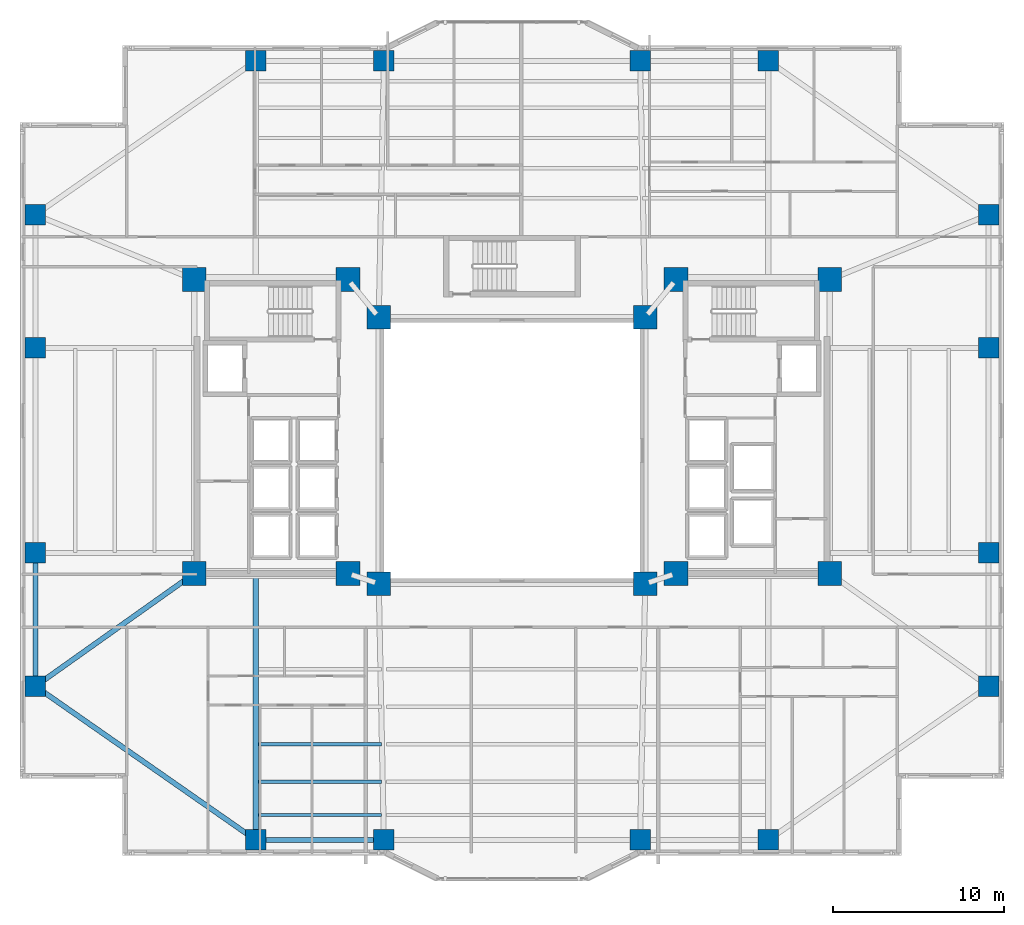
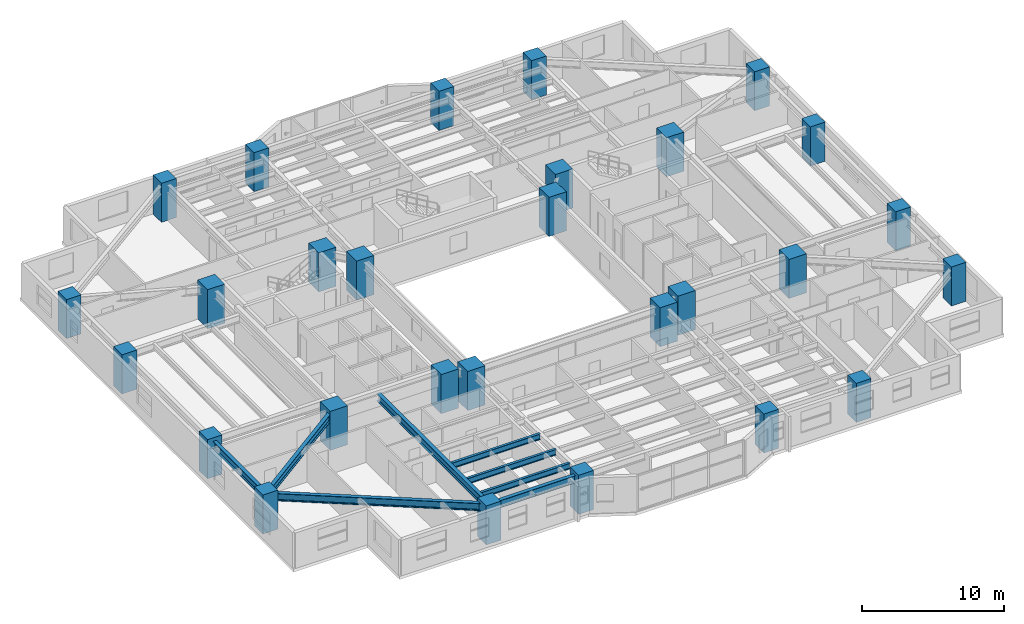
# One storey, part 1 of 20: 28 columns, 8 beams.
"""IFC4 building model written with IfcOpenShell, lengths in metres."""

import ifcopenshell
import ifcopenshell.guid

model = None  # the IFC model being written
_history = None  # IfcOwnerHistory: only IFC2X3 demands one
_inside = {}  # id of a spatial element -> (the spatial element, [elements in it])
_under = {}  # id of a project, library or spatial element -> (it, [spatial elements below it])
_declared = {}  # id of a project -> (the project, [libraries it declares])
_typed = {}  # id of a type object -> (the type object, [elements of that type])
_made_of = {}  # id of a material, layer set ... -> (it, [elements and type objects made of it])


def new_model(schema):
    """Start an empty IFC model of exactly this schema.

    Asked for "IFC4X3", IfcOpenShell would pick the latest addendum, in which some entities
    have other attributes; the version numbers below select the first issue.
    IFC2X3 requires an IfcOwnerHistory on every rooted entity: one is made here for all.
    """
    global model, _history
    if schema == "IFC4X3":
        model = ifcopenshell.file(schema_version=(4, 3, 0, 0))
    else:
        model = ifcopenshell.file(schema=schema)
    _inside.clear()
    _under.clear()
    _declared.clear()
    _typed.clear()
    _made_of.clear()
    _history = None
    if model.schema == "IFC2X3":
        org = make("IfcOrganization", Name="unknown")
        user = make(
            "IfcPersonAndOrganization",
            ThePerson=make("IfcPerson", FamilyName="unknown"),
            TheOrganization=org,
        )
        app = make(
            "IfcApplication",
            ApplicationDeveloper=org,
            Version="unknown",
            ApplicationFullName="unknown",
            ApplicationIdentifier="unknown",
        )
        _history = make(
            "IfcOwnerHistory",
            OwningUser=user,
            OwningApplication=app,
            ChangeAction="ADDED",
            CreationDate=0,
        )
    return model


def make(cls, **values):
    """One entity of the class cls with the attributes given. An attribute that is None is left unset."""
    return model.create_entity(
        cls, **{name: value for name, value in values.items() if value is not None}
    )


def rooted(cls, **values):
    """An entity with a GlobalId (a new one), such as an element, a storey or a relation."""
    return make(cls, GlobalId=ifcopenshell.guid.new(), OwnerHistory=_history, **values)


def si_unit(unit_type, name, prefix=None):
    """IfcSIUnit, for example si_unit("LENGTHUNIT", "METRE", prefix="MILLI")."""
    return make("IfcSIUnit", UnitType=unit_type, Prefix=prefix, Name=name)


def assignment(units):
    """IfcUnitAssignment: the units of a project."""
    return None if units is None else make("IfcUnitAssignment", Units=units)


def point(xyz):
    """IfcCartesianPoint."""
    return None if xyz is None else make("IfcCartesianPoint", Coordinates=xyz)


def direction(xyz):
    """IfcDirection."""
    return None if xyz is None else make("IfcDirection", DirectionRatios=xyz)


def frame(location, z_axis=None, x_axis=None):
    """IfcAxis2Placement3D, a coordinate frame: its origin and axes. An axis left out is left unset."""
    return make(
        "IfcAxis2Placement3D",
        Location=point(location),
        Axis=direction(z_axis),
        RefDirection=direction(x_axis),
    )


def frame_2d(location, x_axis=None):
    """IfcAxis2Placement2D, a coordinate frame in the plane: its origin and x axis."""
    return make(
        "IfcAxis2Placement2D", Location=point(location), RefDirection=direction(x_axis)
    )


def origin():
    """The frame at (0, 0, 0) with its axes left unset."""
    return frame((0.0, 0.0, 0.0))


def origin_2d():
    """The frame at (0, 0) in the plane with its x axis left unset."""
    return frame_2d((0.0, 0.0))


def place(relative_to, where):
    """IfcLocalPlacement: puts the frame where relative to a parent placement (None: the world)."""
    return make(
        "IfcLocalPlacement", PlacementRelTo=relative_to, RelativePlacement=where
    )


def context(
    kind, dimensions, precision=None, world=None, true_north=None, identifier=None
):
    """IfcGeometricRepresentationContext, for example the 3D "Model" context."""
    return make(
        "IfcGeometricRepresentationContext",
        ContextIdentifier=identifier,
        ContextType=kind,
        CoordinateSpaceDimension=dimensions,
        Precision=precision,
        WorldCoordinateSystem=world,
        TrueNorth=true_north,
    )


def subcontext(parent, identifier, kind, view, scale=None):
    """IfcGeometricRepresentationSubContext, for example "Body" below "Model"."""
    return make(
        "IfcGeometricRepresentationSubContext",
        ContextIdentifier=identifier,
        ContextType=kind,
        ParentContext=parent,
        TargetScale=scale,
        TargetView=view,
    )


def project(units=None, contexts=None):
    """IfcProject with its units and contexts."""
    return rooted(
        "IfcProject",
        Name="project",
        RepresentationContexts=contexts,
        UnitsInContext=assignment(units),
    )


def spatial(cls, under=None, at=None, **own):
    """A site, building, storey or space (cls), placed at a placement, below another one or the project."""
    s = rooted(cls, ObjectPlacement=at, **own)
    if under is not None:
        _under.setdefault(under.id(), (under, []))[1].append(s)
    return s


def profile(cls, at=None, kind="AREA", **sizes):
    """A parametric profile (cls). Its sizes go by their IFC names, for example OverallWidth=200.0."""
    return make(cls, ProfileType=kind, Position=at, **sizes)


def rectangle(**sizes):
    """IfcRectangleProfileDef."""
    return profile("IfcRectangleProfileDef", **sizes)


def i_section(**sizes):
    """IfcIShapeProfileDef."""
    return profile("IfcIShapeProfileDef", **sizes)


def extrude(swept, where, along, depth):
    """IfcExtrudedAreaSolid: the profile swept, set in the frame where, extruded along a direction by depth."""
    return make(
        "IfcExtrudedAreaSolid",
        SweptArea=swept,
        Position=where,
        ExtrudedDirection=direction(along),
        Depth=depth,
    )


def shape(context_of_items, identifier, shape_type, items):
    """IfcShapeRepresentation: the items that make up one representation, for example the "Body"."""
    return make(
        "IfcShapeRepresentation",
        ContextOfItems=context_of_items,
        RepresentationIdentifier=identifier,
        RepresentationType=shape_type,
        Items=items,
    )


def material(Name=None, Category=None):
    """IfcMaterial."""
    return make("IfcMaterial", Name=Name, Category=Category)


def material_profile(
    of_material, cross_section, Name=None, Category=None, Priority=None
):
    """IfcMaterialProfile: a cross section and its material."""
    return make(
        "IfcMaterialProfile",
        Name=Name,
        Material=of_material,
        Profile=cross_section,
        Priority=Priority,
        Category=Category,
    )


def profile_set(profiles, Name=None, composite=None):
    """IfcMaterialProfileSet."""
    return make(
        "IfcMaterialProfileSet",
        Name=Name,
        MaterialProfiles=profiles,
        CompositeProfile=composite,
    )


def made_of(thing, what):
    """Note that an element or type object is made of a material, layer set ...; save() writes the relation."""
    if what is not None:
        _made_of.setdefault(what.id(), (what, []))[1].append(thing)
    return thing


def type_object(cls, material=None, **own):
    """A type object (cls), such as IfcWallType, which elements share."""
    return made_of(rooted(cls, **own), material)


def element(
    cls,
    number,
    at=None,
    inside=None,
    cuts=None,
    type_object=None,
    material=None,
    context=None,
    identifier="Body",
    shape_type=None,
    held_by="IfcProductDefinitionShape",
    body=None,
    shapes=None,
    **own,
):
    """One element of the class cls, such as IfcWall. Its Tag is "e" and its number.

    at: its placement. inside: the storey or other place that contains it. cuts: it is an
    opening in that element (IfcRelVoidsElement). A single representation is given by context,
    identifier, shape_type and body (its items); several are given by shapes. held_by: the class
    of the entity that holds the representations. save() writes the other relations.
    """
    e = rooted(cls, Tag="e%d" % number, ObjectPlacement=at, **own)
    if body is not None:
        shapes = [shape(context, identifier, shape_type, body)]
    if shapes is not None:
        e.Representation = make(held_by, Representations=shapes)
    if inside is not None:
        _inside.setdefault(inside.id(), (inside, []))[1].append(e)
    if cuts is not None:
        rooted(
            "IfcRelVoidsElement", RelatingBuildingElement=cuts, RelatedOpeningElement=e
        )
    if type_object is not None:
        _typed.setdefault(type_object.id(), (type_object, []))[1].append(e)
    return made_of(e, material)


def aggregate(whole, parts):
    """IfcRelAggregates: a whole, such as a stair, and the parts it consists of."""
    return rooted("IfcRelAggregates", RelatingObject=whole, RelatedObjects=parts)


def save(model, path):
    """Write the relations noted so far, then the file.

    IfcRelAggregates (storeys below a building ...), IfcRelContainedInSpatialStructure (elements
    in a storey), IfcRelDefinesByType, IfcRelAssociatesMaterial and IfcRelDeclares: one each for
    every whole, place, type object, material and project.
    """
    for whole, parts in _under.values():
        aggregate(whole, parts)
    for where, things in _inside.values():
        rooted(
            "IfcRelContainedInSpatialStructure",
            RelatedElements=things,
            RelatingStructure=where,
        )
    for kind, things in _typed.values():
        rooted("IfcRelDefinesByType", RelatedObjects=things, RelatingType=kind)
    for what, things in _made_of.values():
        rooted("IfcRelAssociatesMaterial", RelatedObjects=things, RelatingMaterial=what)
    for by, libraries in _declared.values():
        rooted("IfcRelDeclares", RelatingContext=by, RelatedDefinitions=libraries)
    model.write(path)


model = new_model("IFC4")

# Units and contexts
model_context = context("Model", 3, precision=1e-05, world=origin(), true_north=direction((0.0, 1.0)))
body_context = subcontext(model_context, "Body", "Model", "MODEL_VIEW")
ifc_project = project(units=[si_unit("LENGTHUNIT", "METRE"), si_unit("AREAUNIT", "SQUARE_METRE"), si_unit("VOLUMEUNIT", "CUBIC_METRE"), si_unit("PLANEANGLEUNIT", "RADIAN"), si_unit("MASSUNIT", "GRAM", prefix="KILO")], contexts=[model_context])

# Site, building, storey
site_placement = place(None, origin())
site = spatial("IfcSite", under=ifc_project, at=site_placement, CompositionType="ELEMENT")
building_placement = place(site_placement, origin())
building = spatial("IfcBuilding", under=site, at=building_placement, Name="Tarnavaz Court Tower", CompositionType="ELEMENT")
storey_placement = place(building_placement, frame((0.0, 0.0, 60.85009765625)))
storey = spatial("IfcBuildingStorey", under=building, at=storey_placement, Name="L16", CompositionType="ELEMENT", Elevation=60.85009765625)

# Columns
ifc_material_1 = material(Name="Concrete C60/75", Category="concrete")
ifc_material_profile_1 = material_profile(ifc_material_1, rectangle(XDim=1.199951171875, YDim=1.199951171875, at=origin_2d()), Name="RC 1200X1200")
ifc_profile_set_1 = profile_set([ifc_material_profile_1], Name="Concrete C60/75")
column_type_1 = type_object("IfcColumnType", Name="CL-RC1200", PredefinedType="COLUMN", material=ifc_profile_set_1)
for number, where, z_axis, x_axis, name in (
    (1, (-15.0, 22.800048828125, 0.0), (0.0, 0.0, 1.0), (1.0, 0.0, 0.0), "L16 Column PN-1"),
    (2, (-7.5, 22.800048828125, 0.0), (0.0, 0.0, 1.0), (1.0, 0.0, 0.0), "L16 Column PN-2"),
    (3, (7.5, 22.800048828125, 0.0), (0.0, 0.0, 1.0), (1.0, 0.0, 0.0), "L16 Column PN-3"),
    (4, (15.0, 22.800048828125, 0.0), (0.0, 0.0, 1.0), (1.0, 0.0, 0.0), "L16 Column PN-4"),
    (5, (-15.0, -22.800048828125, 0.0), (0.0, 0.0, 1.0), (1.0, 0.0, 0.0), "L16 Column PS-1"),
    (6, (-7.5, -22.800048828125, 0.0), (0.0, 0.0, 1.0), (1.0, 0.0, 0.0), "L16 Column PS-2"),
    (7, (7.5, -22.800048828125, 0.0), (0.0, 0.0, 1.0), (1.0, 0.0, 0.0), "L16 Column PS-3"),
    (8, (15.0, -22.800048828125, 0.0), (0.0, 0.0, 1.0), (1.0, 0.0, 0.0), "L16 Column PS-4"),
    (9, (27.89990234375, -13.800048828125, 0.0), (0.0, 0.0, 1.0), (1.0, 0.0, 0.0), "L16 Column PE-1"),
    (10, (27.89990234375, -6.0, 0.0), (0.0, 0.0, 1.0), (1.0, 0.0, 0.0), "L16 Column PE-2"),
    (11, (27.89990234375, 6.0, 0.0), (0.0, 0.0, 1.0), (1.0, 0.0, 0.0), "L16 Column PE-3"),
    (12, (27.89990234375, 13.800048828125, 0.0), (0.0, 0.0, 1.0), (1.0, 0.0, 0.0), "L16 Column PE-4"),
    (13, (-27.89990234375, -13.800048828125, 0.0), (0.0, 0.0, 1.0), (1.0, 0.0, 0.0), "L16 Column PW-1"),
    (14, (-27.89990234375, -6.0, 0.0), (0.0, 0.0, 1.0), (1.0, 0.0, 0.0), "L16 Column PW-2"),
    (15, (-27.89990234375, 6.0, 0.0), (0.0, 0.0, 1.0), (1.0, 0.0, 0.0), "L16 Column PW-3"),
    (16, (-27.89990234375, 13.800048828125, 0.0), (0.0, 0.0, 1.0), (1.0, 0.0, 0.0), "L16 Column PW-4"),
):
    element("IfcColumn", number, at=place(storey_placement, frame(where, z_axis=z_axis, x_axis=x_axis)), inside=storey, type_object=column_type_1, Name=name, PredefinedType="COLUMN", context=body_context, shape_type="SweptSolid", body=[
        extrude(rectangle(XDim=1.199951171875, YDim=1.199951171875, at=origin_2d()), origin(), (0.0, 0.0, 1.0), 3.349853515625),
    ])
ifc_material_profile_2 = material_profile(ifc_material_1, rectangle(XDim=1.39990234375, YDim=1.39990234375, at=origin_2d()), Name="RC 1400X1400")
ifc_profile_set_2 = profile_set([ifc_material_profile_2], Name="Concrete C60/75")
column_type_2 = type_object("IfcColumnType", Name="CL-RC1400", PredefinedType="COLUMN", material=ifc_profile_set_2)
for number, where, z_axis, x_axis, name in (
    (17, (-7.800048828125, -7.800048828125, 0.0), (0.0, 0.0, 1.0), (1.0, 0.0, 0.0), "L16 Column IW-SW"),
    (18, (7.800048828125, -7.800048828125, 0.0), (0.0, 0.0, 1.0), (1.0, 0.0, 0.0), "L16 Column IW-SE"),
    (19, (-7.800048828125, 7.800048828125, 0.0), (0.0, 0.0, 1.0), (1.0, 0.0, 0.0), "L16 Column IW-NW"),
    (20, (7.800048828125, 7.800048828125, 0.0), (0.0, 0.0, 1.0), (1.0, 0.0, 0.0), "L16 Column IW-NE"),
    (21, (-9.60009765625, -7.199951171875, 0.0), (0.0, 0.0, 1.0), (1.0, 0.0, 0.0), "L16 Column CW-SI"),
    (22, (-9.60009765625, 10.0, 0.0), (0.0, 0.0, 1.0), (1.0, 0.0, 0.0), "L16 Column CW-NI"),
    (23, (9.60009765625, -7.199951171875, 0.0), (0.0, 0.0, 1.0), (1.0, 0.0, 0.0), "L16 Column CE-SI"),
    (24, (9.60009765625, 10.0, 0.0), (0.0, 0.0, 1.0), (1.0, 0.0, 0.0), "L16 Column CE-NI"),
    (25, (-18.60009765625, -7.199951171875, 0.0), (0.0, 0.0, 1.0), (1.0, 0.0, 0.0), "L16 Column CW-SO"),
    (26, (-18.60009765625, 10.0, 0.0), (0.0, 0.0, 1.0), (1.0, 0.0, 0.0), "L16 Column CW-NO"),
    (27, (18.60009765625, -7.199951171875, 0.0), (0.0, 0.0, 1.0), (1.0, 0.0, 0.0), "L16 Column CE-SO"),
    (28, (18.60009765625, 10.0, 0.0), (0.0, 0.0, 1.0), (1.0, 0.0, 0.0), "L16 Column CE-NO"),
):
    element("IfcColumn", number, at=place(storey_placement, frame(where, z_axis=z_axis, x_axis=x_axis)), inside=storey, type_object=column_type_2, Name=name, PredefinedType="COLUMN", context=body_context, shape_type="SweptSolid", body=[
        extrude(rectangle(XDim=1.39990234375, YDim=1.39990234375, at=origin_2d()), origin(), (0.0, 0.0, 1.0), 3.349853515625),
    ])

# Beams
ifc_material_2 = material(Name="Steel S355", Category="steel")
ifc_material_profile_3 = material_profile(ifc_material_2, i_section(OverallWidth=0.300048828125, OverallDepth=0.64990234375, WebThickness=0.01611328125, FlangeThickness=0.031005859375, FilletRadius=0.027099609375, at=origin_2d()), Name="HEB 650")
ifc_profile_set_3 = profile_set([ifc_material_profile_3], Name="Steel S355")
beam_type_1 = type_object("IfcBeamType", Name="BM-G-HEB650", PredefinedType="USERDEFINED", material=ifc_profile_set_3)
beam_1_placement = place(storey_placement, frame((-15.0, -7.239990234375, 2.724853515625), z_axis=(0.0, -1.0, 0.0), x_axis=(1.0, 0.0, 0.0)))
element("IfcBeam", 29, at=beam_1_placement, inside=storey, type_object=beam_type_1, Name="L16 Beam RG-05", ObjectType="GIRDER", PredefinedType="USERDEFINED", context=body_context, shape_type="SweptSolid", body=[
    extrude(i_section(OverallWidth=0.300048828125, OverallDepth=0.64990234375, WebThickness=0.01611328125, FlangeThickness=0.031005859375, FilletRadius=0.027099609375, at=origin_2d()), origin(), (0.0, 0.0, 1.0), 15.340087890625),
])
beam_2_placement = place(storey_placement, frame((-18.779296875, -7.327392578125, 2.724853515625), z_axis=(-0.815520027245, -0.578728852886, 0.0), x_axis=(0.578728852886, -0.815520027245, 0.0)))
element("IfcBeam", 30, at=beam_2_placement, inside=storey, type_object=beam_type_1, Name="L16 Beam RG-15", ObjectType="GIRDER", PredefinedType="USERDEFINED", context=body_context, shape_type="SweptSolid", body=[
    extrude(i_section(OverallWidth=0.300048828125, OverallDepth=0.64990234375, WebThickness=0.01611328125, FlangeThickness=0.031005859375, FilletRadius=0.027099609375, at=origin_2d()), origin(), (0.0, 0.0, 1.0), 10.964111328125),
])
ifc_material_profile_4 = material_profile(ifc_material_2, i_section(OverallWidth=0.199951171875, OverallDepth=0.5, WebThickness=0.01025390625, FlangeThickness=0.01611328125, FilletRadius=0.02099609375, at=origin_2d()), Name="IPE 500")
ifc_profile_set_4 = profile_set([ifc_material_profile_4], Name="Steel S355")
beam_type_2 = type_object("IfcBeamType", Name="BM-J-IPE500", PredefinedType="JOIST", material=ifc_profile_set_4)
for number, where, z_axis, x_axis, name in (
    (31, (-14.85009765625, -17.18798828125, 2.7998046875), (1.0, 0.0, 0.0), (0.0, 1.0, 0.0), "L16 Beam JS3-1"),
    (32, (-14.85009765625, -19.384033203125, 2.7998046875), (1.0, 0.0, 0.0), (0.0, 1.0, 0.0), "L16 Beam JS4-1"),
    (33, (-14.85009765625, -21.3359375, 2.7998046875), (1.0, 0.0, 0.0), (0.0, 1.0, 0.0), "L16 Beam JS5-1"),
):
    element("IfcBeam", number, at=place(storey_placement, frame(where, z_axis=z_axis, x_axis=x_axis)), inside=storey, type_object=beam_type_2, Name=name, PredefinedType="JOIST", context=body_context, shape_type="SweptSolid", body=[
        extrude(i_section(OverallWidth=0.199951171875, OverallDepth=0.5, WebThickness=0.01025390625, FlangeThickness=0.01611328125, FilletRadius=0.02099609375, at=origin_2d()), origin(), (0.0, 0.0, 1.0), 7.2001953125),
    ])
ifc_material_profile_5 = material_profile(ifc_material_2, i_section(OverallWidth=0.300048828125, OverallDepth=0.639892578125, WebThickness=0.013427734375, FlangeThickness=0.02587890625, FilletRadius=0.027099609375, at=origin_2d()), Name="HEA 650")
ifc_profile_set_5 = profile_set([ifc_material_profile_5], Name="Steel S355")
beam_type_3 = type_object("IfcBeamType", Name="BM-SP-HEA650", PredefinedType="SPANDREL", material=ifc_profile_set_5)
beam_3_placement = place(storey_placement, frame((-14.780029296875, -22.800048828125, 2.72998046875), z_axis=(1.0, 0.0, 0.0), x_axis=(0.0, 1.0, 0.0)))
element("IfcBeam", 34, at=beam_3_placement, inside=storey, type_object=beam_type_3, Name="L16 Beam PR-PS-1-PS-2", PredefinedType="SPANDREL", context=body_context, shape_type="SweptSolid", body=[
    extrude(i_section(OverallWidth=0.300048828125, OverallDepth=0.639892578125, WebThickness=0.013427734375, FlangeThickness=0.02587890625, FilletRadius=0.027099609375, at=origin_2d()), origin(), (0.0, 0.0, 1.0), 7.06005859375),
])
beam_4_placement = place(storey_placement, frame((-27.89990234375, -13.580078125, 2.72998046875), z_axis=(0.0, 1.0, 0.0), x_axis=(-1.0, 0.0, 0.0)))
element("IfcBeam", 35, at=beam_4_placement, inside=storey, type_object=beam_type_3, Name="L16 Beam PR-PW-1-PW-2", PredefinedType="SPANDREL", context=body_context, shape_type="SweptSolid", body=[
    extrude(i_section(OverallWidth=0.300048828125, OverallDepth=0.639892578125, WebThickness=0.013427734375, FlangeThickness=0.02587890625, FilletRadius=0.027099609375, at=origin_2d()), origin(), (0.0, 0.0, 1.0), 7.360107421875),
])
beam_5_placement = place(storey_placement, frame((-15.180419921875, -22.674072265625, 2.72998046875), z_axis=(-0.820123643324, 0.572186341729, 0.0), x_axis=(-0.572186341729, -0.820123643324, 0.0)))
element("IfcBeam", 36, at=beam_5_placement, inside=storey, type_object=beam_type_3, Name="L16 Beam PR-PS-1-PW-1", PredefinedType="SPANDREL", context=body_context, shape_type="SweptSolid", body=[
    extrude(i_section(OverallWidth=0.300048828125, OverallDepth=0.639892578125, WebThickness=0.013427734375, FlangeThickness=0.02587890625, FilletRadius=0.027099609375, at=origin_2d()), origin(), (0.0, 0.0, 1.0), 15.289306640625),
])

save(model, "model.ifc")
